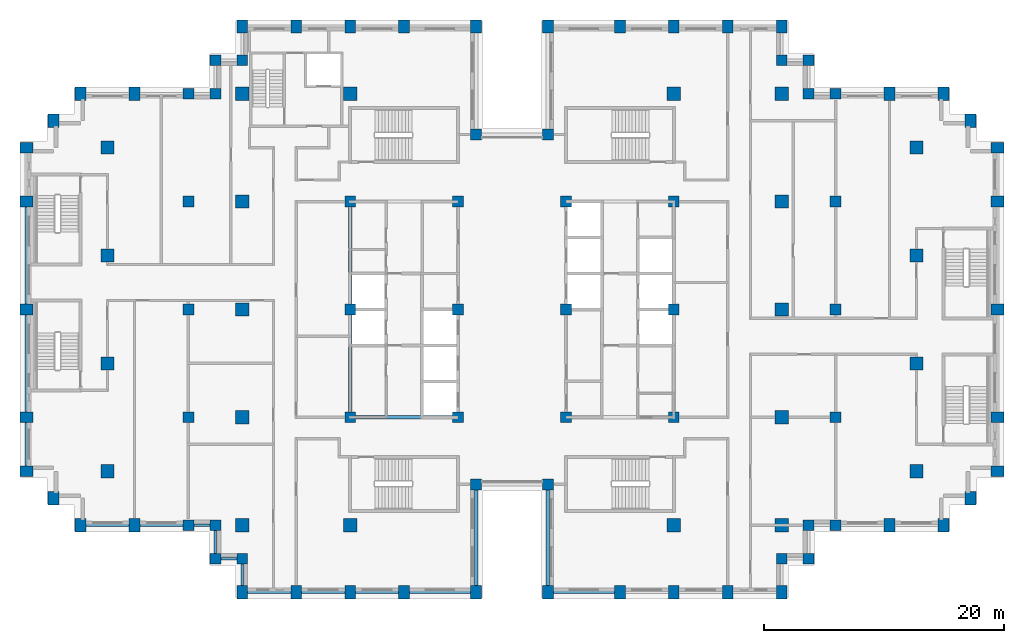
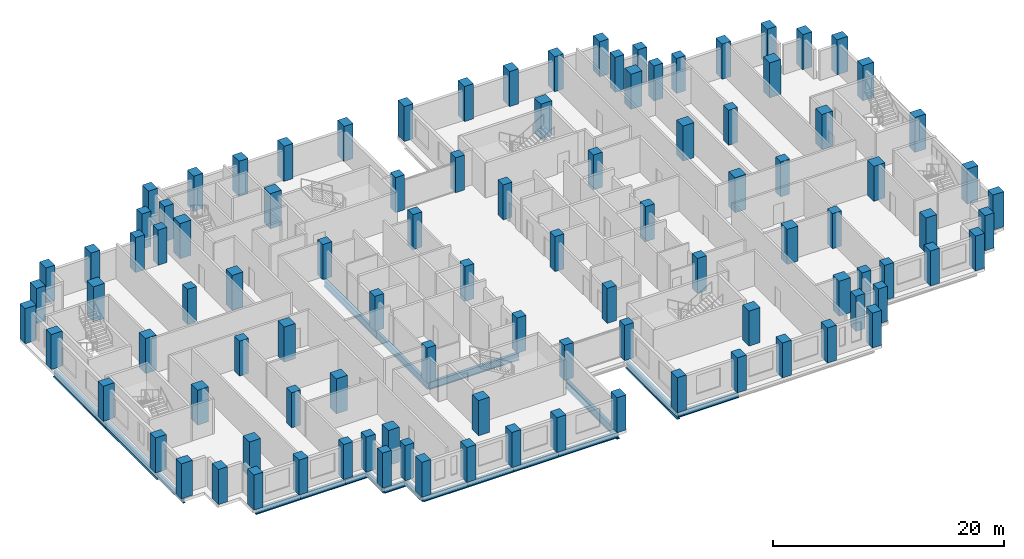
# One storey, part 1 of 16: 102 columns, 19 beams.
"""IFC4 building model written with IfcOpenShell, lengths in metres."""

from ifc_helpers import new_model, si_unit, direction, frame, origin, origin_2d, place, context, subcontext, project, spatial, rectangle, i_section, extrude, material, material_profile, profile_set, type_object, element, save


model = new_model("IFC4")

# Units and contexts
model_context = context("Model", 3, precision=1e-05, world=origin(), true_north=direction((0.0, 1.0)))
body_context = subcontext(model_context, "Body", "Model", "MODEL_VIEW")
ifc_project = project(units=[si_unit("LENGTHUNIT", "METRE"), si_unit("AREAUNIT", "SQUARE_METRE"), si_unit("VOLUMEUNIT", "CUBIC_METRE"), si_unit("PLANEANGLEUNIT", "RADIAN"), si_unit("MASSUNIT", "GRAM", prefix="KILO")], contexts=[model_context])

# Site, building, storey
site_placement = place(None, origin())
site = spatial("IfcSite", under=ifc_project, at=site_placement, CompositionType="ELEMENT")
building_placement = place(site_placement, origin())
building = spatial("IfcBuilding", under=site, at=building_placement, Name="Corbelhall Arena Tower", CompositionType="ELEMENT")
storey_placement = place(building_placement, frame((0.0, 0.0, 158.0)))
storey = spatial("IfcBuildingStorey", under=building, at=storey_placement, Name="L31", CompositionType="ELEMENT", Elevation=158.0)

# Columns
ifc_material_1 = material(Name="Concrete C80/95", Category="concrete")
ifc_material_profile_1 = material_profile(ifc_material_1, rectangle(XDim=1.10009765625, YDim=1.10009765625, at=origin_2d()))
ifc_profile_set_1 = profile_set([ifc_material_profile_1], Name="Concrete C80/95")
column_type_1 = type_object("IfcColumnType", Name="ST-COL-RC 1100x1100", PredefinedType="COLUMN", material=ifc_profile_set_1)
for number, where, z_axis, x_axis, name in (
    (1, (-33.75, 4.5, 0.0), (0.0, 0.0, 1.0), (1.0, 0.0, 0.0), "Column FIC+0450"),
    (2, (-33.75, 13.5, 0.0), (0.0, 0.0, 1.0), (1.0, 0.0, 0.0), "Column FIC+1350"),
    (3, (-33.75, -4.5, 0.0), (0.0, 0.0, 1.0), (1.0, 0.0, 0.0), "Column FIC-0450"),
    (4, (-33.75, -13.5, 0.0), (0.0, 0.0, 1.0), (1.0, 0.0, 0.0), "Column FIC-1350"),
    (5, (33.75, 4.5, 0.0), (0.0, 0.0, 1.0), (1.0, 0.0, 0.0), "Column FID+0450"),
    (6, (33.75, 13.5, 0.0), (0.0, 0.0, 1.0), (1.0, 0.0, 0.0), "Column FID+1350"),
    (7, (33.75, -4.5, 0.0), (0.0, 0.0, 1.0), (1.0, 0.0, 0.0), "Column FID-0450"),
    (8, (33.75, -13.5, 0.0), (0.0, 0.0, 1.0), (1.0, 0.0, 0.0), "Column FID-1350"),
    (9, (13.5, 18.0, 0.0), (0.0, 0.0, 1.0), (1.0, 0.0, 0.0), "Column IE13+1800"),
    (10, (13.5, -18.0, 0.0), (0.0, 0.0, 1.0), (1.0, 0.0, 0.0), "Column IE13-1800"),
    (11, (22.5, 0.0, 0.0), (0.0, 0.0, 1.0), (1.0, 0.0, 0.0), "Column IE22+0000"),
    (12, (22.5, 9.0, 0.0), (0.0, 0.0, 1.0), (1.0, 0.0, 0.0), "Column IE22+0900"),
    (13, (22.5, 18.0, 0.0), (0.0, 0.0, 1.0), (1.0, 0.0, 0.0), "Column IE22+1800"),
    (14, (22.5, -9.0, 0.0), (0.0, 0.0, 1.0), (1.0, 0.0, 0.0), "Column IE22-0900"),
    (15, (22.5, -18.0, 0.0), (0.0, 0.0, 1.0), (1.0, 0.0, 0.0), "Column IE22-1800"),
    (16, (-13.5, 18.0, 0.0), (0.0, 0.0, 1.0), (1.0, 0.0, 0.0), "Column IW13+1800"),
    (17, (-13.5, -18.0, 0.0), (0.0, 0.0, 1.0), (1.0, 0.0, 0.0), "Column IW13-1800"),
    (18, (-22.5, 0.0, 0.0), (0.0, 0.0, 1.0), (1.0, 0.0, 0.0), "Column IW22+0000"),
    (19, (-22.5, 9.0, 0.0), (0.0, 0.0, 1.0), (1.0, 0.0, 0.0), "Column IW22+0900"),
    (20, (-22.5, 18.0, 0.0), (0.0, 0.0, 1.0), (1.0, 0.0, 0.0), "Column IW22+1800"),
    (21, (-22.5, -9.0, 0.0), (0.0, 0.0, 1.0), (1.0, 0.0, 0.0), "Column IW22-0900"),
    (22, (-22.5, -18.0, 0.0), (0.0, 0.0, 1.0), (1.0, 0.0, 0.0), "Column IW22-1800"),
):
    element("IfcColumn", number, at=place(storey_placement, frame(where, z_axis=z_axis, x_axis=x_axis)), inside=storey, type_object=column_type_1, Name=name, PredefinedType="COLUMN", context=body_context, shape_type="SweptSolid", body=[
        extrude(rectangle(XDim=1.10009765625, YDim=1.10009765625, at=origin_2d()), origin(), (0.0, 0.0, 1.0), 3.699951171875),
    ])
ifc_material_profile_2 = material_profile(ifc_material_1, rectangle(XDim=0.89990234375, YDim=1.10009765625, at=origin_2d()))
ifc_profile_set_2 = profile_set([ifc_material_profile_2], Name="Concrete C80/95")
column_type_2 = type_object("IfcColumnType", Name="ST-COL-RC 900x1100", PredefinedType="COLUMN", material=ifc_profile_set_2)
for number, where, z_axis, x_axis, name in (
    (23, (-40.5, 0.0, 0.0), (0.0, 0.0, 1.0), (0.0, 1.0, 0.0), "Column FC+0000"),
    (24, (-40.5, 9.0, 0.0), (0.0, 0.0, 1.0), (0.0, 1.0, 0.0), "Column FC+0900"),
    (25, (-40.5, 13.5, 0.0), (0.0, 0.0, 1.0), (0.0, 1.0, 0.0), "Column FC+1350"),
    (26, (-40.5, -9.0, 0.0), (0.0, 0.0, 1.0), (0.0, 1.0, 0.0), "Column FC-0900"),
    (27, (-40.5, -13.5, 0.0), (0.0, 0.0, 1.0), (0.0, 1.0, 0.0), "Column FC-1350"),
    (28, (-38.25, 15.75, 0.0), (0.0, 0.0, 1.0), (1.0, 0.0, 0.0), "Column FCCN"),
    (29, (-38.25, -15.75, 0.0), (0.0, 0.0, 1.0), (1.0, 0.0, 0.0), "Column FCCS"),
    (30, (-31.5, 18.0, 0.0), (0.0, 0.0, 1.0), (1.0, 0.0, 0.0), "Column FCN3150"),
    (31, (-36.0, 18.0, 0.0), (0.0, 0.0, 1.0), (1.0, 0.0, 0.0), "Column FCN3600"),
    (32, (-31.5, -18.0, 0.0), (0.0, 0.0, 1.0), (1.0, 0.0, 0.0), "Column FCS3150"),
    (33, (-36.0, -18.0, 0.0), (0.0, 0.0, 1.0), (1.0, 0.0, 0.0), "Column FCS3600"),
    (34, (40.5, 0.0, 0.0), (0.0, 0.0, 1.0), (0.0, 1.0, 0.0), "Column FD+0000"),
    (35, (40.5, 9.0, 0.0), (0.0, 0.0, 1.0), (0.0, 1.0, 0.0), "Column FD+0900"),
    (36, (40.5, 13.5, 0.0), (0.0, 0.0, 1.0), (0.0, 1.0, 0.0), "Column FD+1350"),
    (37, (40.5, -9.0, 0.0), (0.0, 0.0, 1.0), (0.0, 1.0, 0.0), "Column FD-0900"),
    (38, (40.5, -13.5, 0.0), (0.0, 0.0, 1.0), (0.0, 1.0, 0.0), "Column FD-1350"),
    (39, (38.25, 15.75, 0.0), (0.0, 0.0, 1.0), (1.0, 0.0, 0.0), "Column FDCN"),
    (40, (38.25, -15.75, 0.0), (0.0, 0.0, 1.0), (1.0, 0.0, 0.0), "Column FDCS"),
    (41, (31.5, 18.0, 0.0), (0.0, 0.0, 1.0), (1.0, 0.0, 0.0), "Column FDN3150"),
    (42, (36.0, 18.0, 0.0), (0.0, 0.0, 1.0), (1.0, 0.0, 0.0), "Column FDN3600"),
    (43, (31.5, -18.0, 0.0), (0.0, 0.0, 1.0), (1.0, 0.0, 0.0), "Column FDS3150"),
    (44, (36.0, -18.0, 0.0), (0.0, 0.0, 1.0), (1.0, 0.0, 0.0), "Column FDS3600"),
    (45, (3.0, 23.60009765625, 0.0), (0.0, 0.0, 1.0), (1.0, 0.0, 0.0), "Column PNE0300"),
    (46, (9.0, 23.60009765625, 0.0), (0.0, 0.0, 1.0), (1.0, 0.0, 0.0), "Column PNE0900"),
    (47, (13.5, 23.60009765625, 0.0), (0.0, 0.0, 1.0), (1.0, 0.0, 0.0), "Column PNE1350"),
    (48, (18.0, 23.60009765625, 0.0), (0.0, 0.0, 1.0), (1.0, 0.0, 0.0), "Column PNE1800"),
    (49, (22.5, 23.60009765625, 0.0), (0.0, 0.0, 1.0), (1.0, 0.0, 0.0), "Column PNE2250"),
    (50, (-3.0, 23.60009765625, 0.0), (0.0, 0.0, 1.0), (1.0, 0.0, 0.0), "Column PNW0300"),
    (51, (-9.0, 23.60009765625, 0.0), (0.0, 0.0, 1.0), (1.0, 0.0, 0.0), "Column PNW0900"),
    (52, (-13.5, 23.60009765625, 0.0), (0.0, 0.0, 1.0), (1.0, 0.0, 0.0), "Column PNW1350"),
    (53, (-18.0, 23.60009765625, 0.0), (0.0, 0.0, 1.0), (1.0, 0.0, 0.0), "Column PNW1800"),
    (54, (-22.5, 23.60009765625, 0.0), (0.0, 0.0, 1.0), (1.0, 0.0, 0.0), "Column PNW2250"),
    (55, (3.0, -23.60009765625, 0.0), (0.0, 0.0, 1.0), (1.0, 0.0, 0.0), "Column PSE0300"),
    (56, (9.0, -23.60009765625, 0.0), (0.0, 0.0, 1.0), (1.0, 0.0, 0.0), "Column PSE0900"),
    (57, (13.5, -23.60009765625, 0.0), (0.0, 0.0, 1.0), (1.0, 0.0, 0.0), "Column PSE1350"),
    (58, (18.0, -23.60009765625, 0.0), (0.0, 0.0, 1.0), (1.0, 0.0, 0.0), "Column PSE1800"),
    (59, (22.5, -23.60009765625, 0.0), (0.0, 0.0, 1.0), (1.0, 0.0, 0.0), "Column PSE2250"),
    (60, (-3.0, -23.60009765625, 0.0), (0.0, 0.0, 1.0), (1.0, 0.0, 0.0), "Column PSW0300"),
    (61, (-9.0, -23.60009765625, 0.0), (0.0, 0.0, 1.0), (1.0, 0.0, 0.0), "Column PSW0900"),
    (62, (-13.5, -23.60009765625, 0.0), (0.0, 0.0, 1.0), (1.0, 0.0, 0.0), "Column PSW1350"),
    (63, (-18.0, -23.60009765625, 0.0), (0.0, 0.0, 1.0), (1.0, 0.0, 0.0), "Column PSW1800"),
    (64, (-22.5, -23.60009765625, 0.0), (0.0, 0.0, 1.0), (1.0, 0.0, 0.0), "Column PSW2250"),
):
    element("IfcColumn", number, at=place(storey_placement, frame(where, z_axis=z_axis, x_axis=x_axis)), inside=storey, type_object=column_type_2, Name=name, PredefinedType="COLUMN", context=body_context, shape_type="SweptSolid", body=[
        extrude(rectangle(XDim=0.89990234375, YDim=1.10009765625, at=origin_2d()), origin(), (0.0, 0.0, 1.0), 3.699951171875),
    ])
ifc_material_profile_3 = material_profile(ifc_material_1, rectangle(XDim=0.89990234375, YDim=0.89990234375, at=origin_2d()))
ifc_profile_set_3 = profile_set([ifc_material_profile_3], Name="Concrete C80/95")
column_type_3 = type_object("IfcColumnType", Name="ST-COL-RC 900x900", PredefinedType="COLUMN", material=ifc_profile_set_3)
for number, where, z_axis, x_axis, name in (
    (65, (4.5, 0.0, 0.0), (0.0, 0.0, 1.0), (1.0, 0.0, 0.0), "Column KE+0450+0000"),
    (66, (4.5, 9.0, 0.0), (0.0, 0.0, 1.0), (1.0, 0.0, 0.0), "Column KE+0450+0900"),
    (67, (4.5, -9.0, 0.0), (0.0, 0.0, 1.0), (1.0, 0.0, 0.0), "Column KE+0450-0900"),
    (68, (13.5, 0.0, 0.0), (0.0, 0.0, 1.0), (1.0, 0.0, 0.0), "Column KE+1350+0000"),
    (69, (13.5, 9.0, 0.0), (0.0, 0.0, 1.0), (1.0, 0.0, 0.0), "Column KE+1350+0900"),
    (70, (13.5, -9.0, 0.0), (0.0, 0.0, 1.0), (1.0, 0.0, 0.0), "Column KE+1350-0900"),
    (71, (-4.5, 0.0, 0.0), (0.0, 0.0, 1.0), (1.0, 0.0, 0.0), "Column KW-0450+0000"),
    (72, (-4.5, 9.0, 0.0), (0.0, 0.0, 1.0), (1.0, 0.0, 0.0), "Column KW-0450+0900"),
    (73, (-4.5, -9.0, 0.0), (0.0, 0.0, 1.0), (1.0, 0.0, 0.0), "Column KW-0450-0900"),
    (74, (-13.5, 0.0, 0.0), (0.0, 0.0, 1.0), (1.0, 0.0, 0.0), "Column KW-1350+0000"),
    (75, (-13.5, 9.0, 0.0), (0.0, 0.0, 1.0), (1.0, 0.0, 0.0), "Column KW-1350+0900"),
    (76, (-13.5, -9.0, 0.0), (0.0, 0.0, 1.0), (1.0, 0.0, 0.0), "Column KW-1350-0900"),
    (77, (27.0, 0.0, 0.0), (0.0, 0.0, 1.0), (1.0, 0.0, 0.0), "Column PE+0000"),
    (78, (27.0, 9.0, 0.0), (0.0, 0.0, 1.0), (1.0, 0.0, 0.0), "Column PE+0900"),
    (79, (27.0, 18.0, 0.0), (0.0, 0.0, 1.0), (1.0, 0.0, 0.0), "Column PE+1800"),
    (80, (27.0, -9.0, 0.0), (0.0, 0.0, 1.0), (1.0, 0.0, 0.0), "Column PE-0900"),
    (81, (27.0, -18.0, 0.0), (0.0, 0.0, 1.0), (1.0, 0.0, 0.0), "Column PE-1800"),
    (82, (-27.0, 0.0, 0.0), (0.0, 0.0, 1.0), (1.0, 0.0, 0.0), "Column PW+0000"),
    (83, (-27.0, 9.0, 0.0), (0.0, 0.0, 1.0), (1.0, 0.0, 0.0), "Column PW+0900"),
    (84, (-27.0, 18.0, 0.0), (0.0, 0.0, 1.0), (1.0, 0.0, 0.0), "Column PW+1800"),
    (85, (-27.0, -9.0, 0.0), (0.0, 0.0, 1.0), (1.0, 0.0, 0.0), "Column PW-0900"),
    (86, (-27.0, -18.0, 0.0), (0.0, 0.0, 1.0), (1.0, 0.0, 0.0), "Column PW-1800"),
    (87, (3.0, 14.60009765625, 0.0), (0.0, 0.0, 1.0), (1.0, 0.0, 0.0), "Column SLNE2"),
    (88, (-3.0, 14.60009765625, 0.0), (0.0, 0.0, 1.0), (1.0, 0.0, 0.0), "Column SLNW2"),
    (89, (3.0, -14.60009765625, 0.0), (0.0, 0.0, 1.0), (1.0, 0.0, 0.0), "Column SLSE2"),
    (90, (-3.0, -14.60009765625, 0.0), (0.0, 0.0, 1.0), (1.0, 0.0, 0.0), "Column SLSW2"),
    (91, (22.5, 20.800048828125, 0.0), (0.0, 0.0, 1.0), (1.0, 0.0, 0.0), "Column XNE1"),
    (92, (24.75, 20.800048828125, 0.0), (0.0, 0.0, 1.0), (1.0, 0.0, 0.0), "Column XNE2"),
    (93, (24.75, 18.0, 0.0), (0.0, 0.0, 1.0), (1.0, 0.0, 0.0), "Column XNE3"),
    (94, (-22.5, 20.800048828125, 0.0), (0.0, 0.0, 1.0), (1.0, 0.0, 0.0), "Column XNW1"),
    (95, (-24.75, 20.800048828125, 0.0), (0.0, 0.0, 1.0), (1.0, 0.0, 0.0), "Column XNW2"),
    (96, (-24.75, 18.0, 0.0), (0.0, 0.0, 1.0), (1.0, 0.0, 0.0), "Column XNW3"),
    (97, (22.5, -20.800048828125, 0.0), (0.0, 0.0, 1.0), (1.0, 0.0, 0.0), "Column XSE1"),
    (98, (24.75, -20.800048828125, 0.0), (0.0, 0.0, 1.0), (1.0, 0.0, 0.0), "Column XSE2"),
    (99, (24.75, -18.0, 0.0), (0.0, 0.0, 1.0), (1.0, 0.0, 0.0), "Column XSE3"),
    (100, (-22.5, -20.800048828125, 0.0), (0.0, 0.0, 1.0), (1.0, 0.0, 0.0), "Column XSW1"),
    (101, (-24.75, -20.800048828125, 0.0), (0.0, 0.0, 1.0), (1.0, 0.0, 0.0), "Column XSW2"),
    (102, (-24.75, -18.0, 0.0), (0.0, 0.0, 1.0), (1.0, 0.0, 0.0), "Column XSW3"),
):
    element("IfcColumn", number, at=place(storey_placement, frame(where, z_axis=z_axis, x_axis=x_axis)), inside=storey, type_object=column_type_3, Name=name, PredefinedType="COLUMN", context=body_context, shape_type="SweptSolid", body=[
        extrude(rectangle(XDim=0.89990234375, YDim=0.89990234375, at=origin_2d()), origin(), (0.0, 0.0, 1.0), 3.699951171875),
    ])

# Beams
ifc_material_2 = material(Name="Steel ASTM A992 Gr50", Category="steel")
ifc_material_profile_4 = material_profile(ifc_material_2, i_section(OverallWidth=0.2666015625, OverallDepth=0.761962890625, WebThickness=0.014404296875, FlangeThickness=0.021484375, at=origin_2d()))
ifc_profile_set_4 = profile_set([ifc_material_profile_4], Name="Steel ASTM A992 Gr50")
beam_type_1 = type_object("IfcBeamType", Name="ST-BEAM-W30x116", PredefinedType="BEAM", material=ifc_profile_set_4)
for number, where, z_axis, x_axis, name in (
    (103, (-13.5, -9.0, -0.680908203125), (0.0, 1.0, 0.0), (-1.0, 0.0, 0.0), "Beam CEW 1"),
    (104, (-13.5, 0.0, -0.680908203125), (0.0, 1.0, 0.0), (-1.0, 0.0, 0.0), "Beam CEW 2"),
    (105, (-13.5, -9.0, -0.680908203125), (1.0, 0.0, 0.0), (0.0, 1.0, 0.0), "Beam CEW 5"),
):
    element("IfcBeam", number, at=place(storey_placement, frame(where, z_axis=z_axis, x_axis=x_axis)), inside=storey, type_object=beam_type_1, Name=name, PredefinedType="BEAM", context=body_context, shape_type="SweptSolid", body=[
        extrude(i_section(OverallWidth=0.2666015625, OverallDepth=0.761962890625, WebThickness=0.014404296875, FlangeThickness=0.021484375, at=origin_2d()), origin(), (0.0, 0.0, 1.0), 9.0),
    ])
ifc_material_profile_5 = material_profile(ifc_material_2, i_section(OverallWidth=0.22900390625, OverallDepth=0.612060546875, WebThickness=0.011962890625, FlangeThickness=0.01953125, at=origin_2d()))
ifc_profile_set_5 = profile_set([ifc_material_profile_5], Name="Steel ASTM A992 Gr50")
beam_type_2 = type_object("IfcBeamType", Name="ST-SPANDREL-W24x84", PredefinedType="SPANDREL", material=ifc_profile_set_5)
for number, where, z_axis, x_axis, name in (
    (106, (-40.5, -13.5, -0.60595703125), (0.0, 1.0, 0.0), (-1.0, 0.0, 0.0), "Beam SP 4"),
    (107, (-31.5, -18.0, -0.60595703125), (-1.0, 0.0, 0.0), (0.0, -1.0, 0.0), "Beam SP 7"),
):
    element("IfcBeam", number, at=place(storey_placement, frame(where, z_axis=z_axis, x_axis=x_axis)), inside=storey, type_object=beam_type_2, Name=name, PredefinedType="SPANDREL", context=body_context, shape_type="SweptSolid", body=[
        extrude(i_section(OverallWidth=0.22900390625, OverallDepth=0.612060546875, WebThickness=0.011962890625, FlangeThickness=0.01953125, at=origin_2d()), origin(), (0.0, 0.0, 1.0), 4.5),
    ])
for number, where, z_axis, x_axis, name in (
    (108, (9.0, -23.60009765625, -0.60595703125), (-1.0, 0.0, 0.0), (0.0, -1.0, 0.0), "Beam SP 28"),
    (109, (-3.0, -23.60009765625, -0.60595703125), (-1.0, 0.0, 0.0), (0.0, -1.0, 0.0), "Beam SP 32"),
):
    element("IfcBeam", number, at=place(storey_placement, frame(where, z_axis=z_axis, x_axis=x_axis)), inside=storey, type_object=beam_type_2, Name=name, PredefinedType="SPANDREL", context=body_context, shape_type="SweptSolid", body=[
        extrude(i_section(OverallWidth=0.22900390625, OverallDepth=0.612060546875, WebThickness=0.011962890625, FlangeThickness=0.01953125, at=origin_2d()), origin(), (0.0, 0.0, 1.0), 6.0),
    ])
for number, where, z_axis, x_axis, name in (
    (110, (-9.0, -23.60009765625, -0.60595703125), (-1.0, 0.0, 0.0), (0.0, -1.0, 0.0), "Beam SP 33"),
    (111, (-13.5, -23.60009765625, -0.60595703125), (-1.0, 0.0, 0.0), (0.0, -1.0, 0.0), "Beam SP 34"),
    (112, (-18.0, -23.60009765625, -0.60595703125), (-1.0, 0.0, 0.0), (0.0, -1.0, 0.0), "Beam SP 35"),
):
    element("IfcBeam", number, at=place(storey_placement, frame(where, z_axis=z_axis, x_axis=x_axis)), inside=storey, type_object=beam_type_2, Name=name, PredefinedType="SPANDREL", context=body_context, shape_type="SweptSolid", body=[
        extrude(i_section(OverallWidth=0.22900390625, OverallDepth=0.612060546875, WebThickness=0.011962890625, FlangeThickness=0.01953125, at=origin_2d()), origin(), (0.0, 0.0, 1.0), 4.5),
    ])
beam_1_placement = place(storey_placement, frame((-22.5, -23.60009765625, -0.60595703125), z_axis=(0.0, 1.0, 0.0), x_axis=(-1.0, 0.0, 0.0)))
element("IfcBeam", 113, at=beam_1_placement, inside=storey, type_object=beam_type_2, Name="Beam SP 36", PredefinedType="SPANDREL", context=body_context, shape_type="SweptSolid", body=[
    extrude(i_section(OverallWidth=0.22900390625, OverallDepth=0.612060546875, WebThickness=0.011962890625, FlangeThickness=0.01953125, at=origin_2d()), origin(), (0.0, 0.0, 1.0), 2.800048828125),
])
beam_2_placement = place(storey_placement, frame((-27.0, -18.0, -0.60595703125), z_axis=(-1.0, 0.0, 0.0), x_axis=(0.0, -1.0, 0.0)))
element("IfcBeam", 114, at=beam_2_placement, inside=storey, type_object=beam_type_2, Name="Beam SP 38", PredefinedType="SPANDREL", context=body_context, shape_type="SweptSolid", body=[
    extrude(i_section(OverallWidth=0.22900390625, OverallDepth=0.612060546875, WebThickness=0.011962890625, FlangeThickness=0.01953125, at=origin_2d()), origin(), (0.0, 0.0, 1.0), 4.5),
])
beam_3_placement = place(storey_placement, frame((-22.5, -20.800048828125, -0.60595703125), z_axis=(-1.0, 0.0, 0.0), x_axis=(0.0, -1.0, 0.0)))
element("IfcBeam", 115, at=beam_3_placement, inside=storey, type_object=beam_type_2, Name="Beam SP 52", PredefinedType="SPANDREL", context=body_context, shape_type="SweptSolid", body=[
    extrude(i_section(OverallWidth=0.22900390625, OverallDepth=0.612060546875, WebThickness=0.011962890625, FlangeThickness=0.01953125, at=origin_2d()), origin(), (0.0, 0.0, 1.0), 2.25),
])
beam_4_placement = place(storey_placement, frame((-24.75, -20.800048828125, -0.60595703125), z_axis=(0.0, 1.0, 0.0), x_axis=(-1.0, 0.0, 0.0)))
element("IfcBeam", 116, at=beam_4_placement, inside=storey, type_object=beam_type_2, Name="Beam SP 53", PredefinedType="SPANDREL", context=body_context, shape_type="SweptSolid", body=[
    extrude(i_section(OverallWidth=0.22900390625, OverallDepth=0.612060546875, WebThickness=0.011962890625, FlangeThickness=0.01953125, at=origin_2d()), origin(), (0.0, 0.0, 1.0), 2.800048828125),
])
beam_5_placement = place(storey_placement, frame((-24.75, -18.0, -0.60595703125), z_axis=(-1.0, 0.0, 0.0), x_axis=(0.0, -1.0, 0.0)))
element("IfcBeam", 117, at=beam_5_placement, inside=storey, type_object=beam_type_2, Name="Beam SP 54", PredefinedType="SPANDREL", context=body_context, shape_type="SweptSolid", body=[
    extrude(i_section(OverallWidth=0.22900390625, OverallDepth=0.612060546875, WebThickness=0.011962890625, FlangeThickness=0.01953125, at=origin_2d()), origin(), (0.0, 0.0, 1.0), 2.25),
])
ifc_material_profile_6 = material_profile(ifc_material_2, i_section(OverallWidth=0.2919921875, OverallDepth=0.845703125, WebThickness=0.015380859375, FlangeThickness=0.0244140625, at=origin_2d()))
ifc_profile_set_6 = profile_set([ifc_material_profile_6], Name="Steel ASTM A992 Gr50")
beam_type_3 = type_object("IfcBeamType", Name="ST-SPANDREL-W33x141", PredefinedType="SPANDREL", material=ifc_profile_set_6)
for number, where, z_axis, x_axis, name in (
    (118, (-40.5, 0.0, -0.722900390625), (0.0, 1.0, 0.0), (-1.0, 0.0, 0.0), "Beam SP 1"),
    (119, (-40.5, -9.0, -0.722900390625), (0.0, 1.0, 0.0), (-1.0, 0.0, 0.0), "Beam SP 3"),
    (120, (3.0, -23.60009765625, -0.722900390625), (0.0, 1.0, 0.0), (-1.0, 0.0, 0.0), "Beam SP 27"),
    (121, (-3.0, -14.60009765625, -0.722900390625), (0.0, -1.0, 0.0), (1.0, 0.0, 0.0), "Beam SP 42"),
):
    element("IfcBeam", number, at=place(storey_placement, frame(where, z_axis=z_axis, x_axis=x_axis)), inside=storey, type_object=beam_type_3, Name=name, PredefinedType="SPANDREL", context=body_context, shape_type="SweptSolid", body=[
        extrude(i_section(OverallWidth=0.2919921875, OverallDepth=0.845703125, WebThickness=0.015380859375, FlangeThickness=0.0244140625, at=origin_2d()), origin(), (0.0, 0.0, 1.0), 9.0),
    ])

save(model, "model.ifc")
